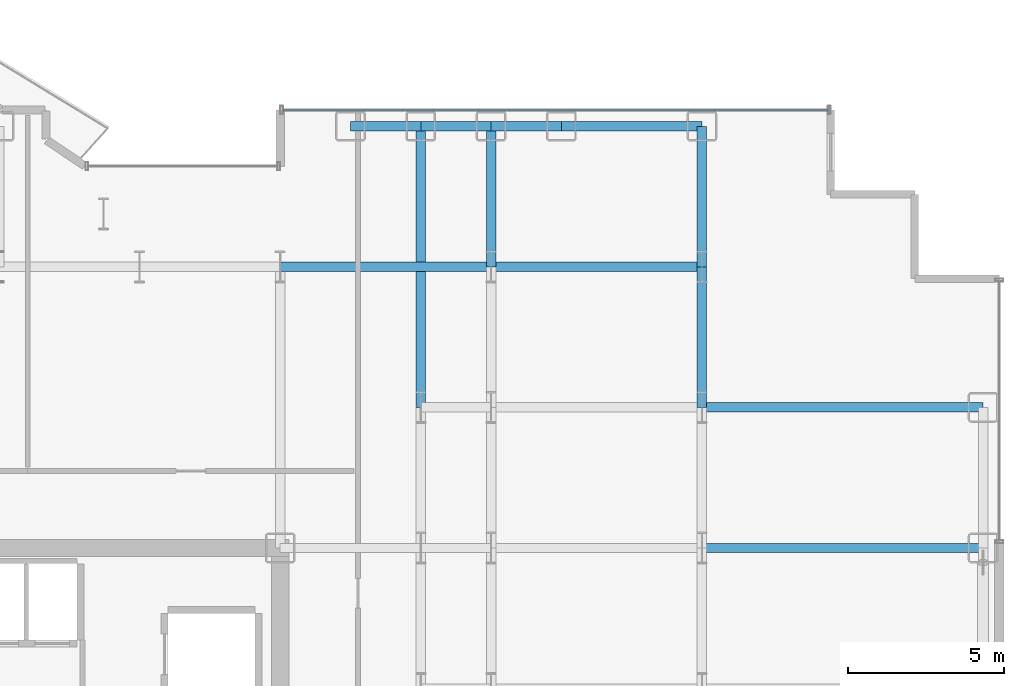
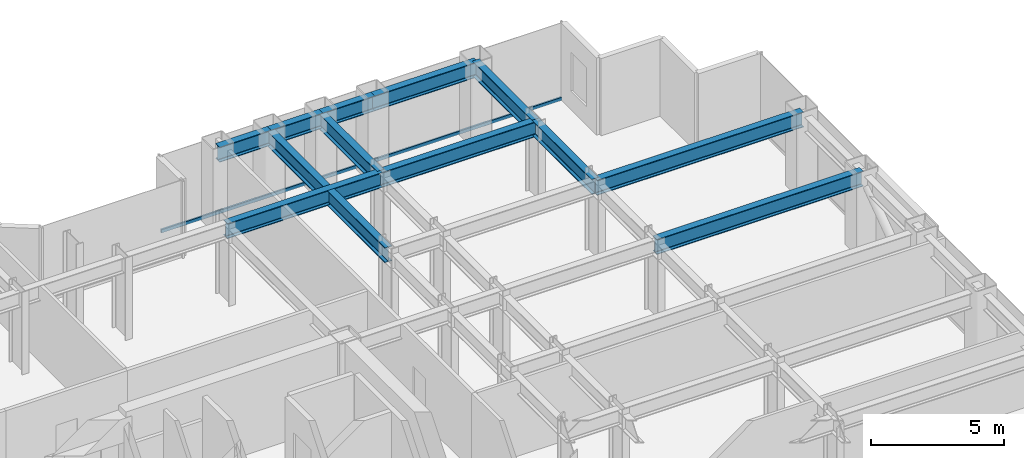
# One storey, part 16 of 28: 12 beams, 1 member, 1 element without a shape of its own.
"""IFC4 building model written with IfcOpenShell, lengths in metres."""

from ifc_helpers import new_model, si_unit, direction, frame, origin, origin_2d, place, context, subcontext, project, spatial, hollow_rectangle, i_section, extrude, source, transform, mapped, material, layer, layer_set, material_profile, profile_set, type_object, element, aggregate, save


model = new_model("IFC4")

# Units and contexts
model_context = context("Model", 3, precision=1e-05, world=origin(), true_north=direction((0.0, 1.0)))
body_context = subcontext(model_context, "Body", "Model", "MODEL_VIEW")
ifc_project = project(units=[si_unit("LENGTHUNIT", "METRE"), si_unit("AREAUNIT", "SQUARE_METRE"), si_unit("VOLUMEUNIT", "CUBIC_METRE"), si_unit("PLANEANGLEUNIT", "RADIAN"), si_unit("MASSUNIT", "GRAM", prefix="KILO")], contexts=[model_context])

# Site, building, storey
site_placement = place(None, origin())
site = spatial("IfcSite", under=ifc_project, at=site_placement, CompositionType="ELEMENT")
building_placement = place(site_placement, origin())
building = spatial("IfcBuilding", under=site, at=building_placement, Name="Nefas-Gora Pilgrimage Tower", CompositionType="ELEMENT")
storey_placement = place(building_placement, frame((0.0, 0.0, 102.199951171875)))
storey = spatial("IfcBuildingStorey", under=building, at=storey_placement, Name="L24", CompositionType="ELEMENT", Elevation=102.199951171875)

# Beams
ifc_material_1 = material(Name="Steel S355", Category="steel")
ifc_material_profile_1 = material_profile(ifc_material_1, i_section(OverallWidth=0.300048828125, OverallDepth=0.699951171875, WebThickness=0.01708984375, FlangeThickness=0.031982421875, FilletRadius=0.027099609375, at=origin_2d()), Name="HEB 700")
ifc_profile_set_1 = profile_set([ifc_material_profile_1], Name="Steel S355")
beam_type_1 = type_object("IfcBeamType", Name="BM-SPN-HEB600", PredefinedType="SPANDREL", material=ifc_profile_set_1)
shared_shape_1 = source(origin(), body_context, "Body", "SweptSolid", [
    extrude(i_section(OverallWidth=0.300048828125, OverallDepth=0.699951171875, WebThickness=0.01708984375, FlangeThickness=0.031982421875, FilletRadius=0.027099609375, at=origin_2d()), origin(), (0.0, 0.0, 1.0), 4.5),
])
beam_placement = place(storey_placement, frame((20.25, 22.5, 3.199951171875), z_axis=(1.0, 0.0, 0.0), x_axis=(0.0, 1.0, 0.0)))
element("IfcBeam", 1, at=beam_placement, inside=storey, type_object=beam_type_1, Name="L24 SP-01 beam", PredefinedType="SPANDREL", context=body_context, shape_type="MappedRepresentation", body=[
    mapped(shared_shape_1, transform((0.0, 0.0, 0.0), x_axis=(1.0, 0.0, 0.0), y_axis=(0.0, 1.0, 0.0), z_axis=(0.0, 0.0, 1.0), scale=1.0)),
])
ifc_material_profile_2 = material_profile(ifc_material_1, i_section(OverallWidth=0.300048828125, OverallDepth=0.699951171875, WebThickness=0.01708984375, FlangeThickness=0.031982421875, FilletRadius=0.027099609375, at=origin_2d()), Name="HEB 700")
ifc_profile_set_2 = profile_set([ifc_material_profile_2], Name="Steel S355")
beam_type_2 = type_object("IfcBeamType", Name="BM-GIR-HEB700", PredefinedType="BEAM", material=ifc_profile_set_2)
shared_shape_2 = source(origin(), body_context, "Body", "SweptSolid", [
    extrude(i_section(OverallWidth=0.300048828125, OverallDepth=0.699951171875, WebThickness=0.01708984375, FlangeThickness=0.031982421875, FilletRadius=0.027099609375, at=origin_2d()), origin(), (0.0, 0.0, 1.0), 9.0),
])
for number, where, z_axis, x_axis, name in (
    (2, (15.75, 13.5, 3.199951171875), (0.0, 1.0, 0.0), (-1.0, 0.0, 0.0), "L24 G-02 beam"),
    (3, (24.75, 9.0, 3.199951171875), (1.0, 0.0, 0.0), (0.0, 1.0, 0.0), "L24 G-02 beam"),
    (4, (24.75, 13.5, 3.199951171875), (1.0, 0.0, 0.0), (0.0, 1.0, 0.0), "L24 G-02 beam"),
):
    element("IfcBeam", number, at=place(storey_placement, frame(where, z_axis=z_axis, x_axis=x_axis)), inside=storey, type_object=beam_type_2, Name=name, PredefinedType="BEAM", context=body_context, shape_type="MappedRepresentation", body=[
        mapped(shared_shape_2, transform((0.0, 0.0, 0.0), x_axis=(1.0, 0.0, 0.0), y_axis=(0.0, 1.0, 0.0), z_axis=(0.0, 0.0, 1.0), scale=1.0)),
    ])
shared_shape_3 = source(origin(), body_context, "Body", "SweptSolid", [
    extrude(i_section(OverallWidth=0.300048828125, OverallDepth=0.699951171875, WebThickness=0.01708984375, FlangeThickness=0.031982421875, FilletRadius=0.027099609375, at=origin_2d()), origin(), (0.0, 0.0, 1.0), 4.5),
])
for number, where, z_axis, x_axis, name in (
    (5, (18.0, 18.0, 3.199951171875), (0.0, 1.0, 0.0), (-1.0, 0.0, 0.0), "L24 G-02 beam"),
    (6, (24.75, 13.5, 3.199951171875), (0.0, 1.0, 0.0), (-1.0, 0.0, 0.0), "L24 G-02 beam"),
    (7, (24.75, 18.0, 3.199951171875), (0.0, 1.0, 0.0), (-1.0, 0.0, 0.0), "L24 G-02 beam"),
):
    element("IfcBeam", number, at=place(storey_placement, frame(where, z_axis=z_axis, x_axis=x_axis)), inside=storey, type_object=beam_type_2, Name=name, PredefinedType="BEAM", context=body_context, shape_type="MappedRepresentation", body=[
        mapped(shared_shape_3, transform((0.0, 0.0, 0.0), x_axis=(1.0, 0.0, 0.0), y_axis=(0.0, 1.0, 0.0), z_axis=(0.0, 0.0, 1.0), scale=1.0)),
    ])
shared_shape_4 = source(origin(), body_context, "Body", "SweptSolid", [
    extrude(i_section(OverallWidth=0.300048828125, OverallDepth=0.699951171875, WebThickness=0.01708984375, FlangeThickness=0.031982421875, FilletRadius=0.027099609375, at=origin_2d()), origin(), (0.0, 0.0, 1.0), 6.75),
])
for number, where, z_axis, x_axis, name in (
    (8, (11.25, 18.0, 3.199951171875), (1.0, 0.0, 0.0), (0.0, 1.0, 0.0), "L24 G-02 beam"),
    (9, (18.0, 18.0, 3.199951171875), (1.0, 0.0, 0.0), (0.0, 1.0, 0.0), "L24 G-02 beam"),
):
    element("IfcBeam", number, at=place(storey_placement, frame(where, z_axis=z_axis, x_axis=x_axis)), inside=storey, type_object=beam_type_2, Name=name, PredefinedType="BEAM", context=body_context, shape_type="MappedRepresentation", body=[
        mapped(shared_shape_4, transform((0.0, 0.0, 0.0), x_axis=(1.0, 0.0, 0.0), y_axis=(0.0, 1.0, 0.0), z_axis=(0.0, 0.0, 1.0), scale=1.0)),
    ])
shared_shape_5 = source(origin(), body_context, "Body", "SweptSolid", [
    extrude(i_section(OverallWidth=0.300048828125, OverallDepth=0.699951171875, WebThickness=0.01708984375, FlangeThickness=0.031982421875, FilletRadius=0.027099609375, at=origin_2d()), origin(), (0.0, 0.0, 1.0), 2.25),
])
for number, where, z_axis, x_axis, name in (
    (10, (13.5, 22.5, 3.199951171875), (1.0, 0.0, 0.0), (0.0, 1.0, 0.0), "L24 SP-01 beam"),
    (11, (15.75, 22.5, 3.199951171875), (1.0, 0.0, 0.0), (0.0, 1.0, 0.0), "L24 SP-01 beam"),
    (12, (18.0, 22.5, 3.199951171875), (1.0, 0.0, 0.0), (0.0, 1.0, 0.0), "L24 SP-01 beam"),
):
    element("IfcBeam", number, at=place(storey_placement, frame(where, z_axis=z_axis, x_axis=x_axis)), inside=storey, type_object=beam_type_1, Name=name, PredefinedType="SPANDREL", context=body_context, shape_type="MappedRepresentation", body=[
        mapped(shared_shape_5, transform((0.0, 0.0, 0.0), x_axis=(1.0, 0.0, 0.0), y_axis=(0.0, 1.0, 0.0), z_axis=(0.0, 0.0, 1.0), scale=1.0)),
    ])

# Curtain wall, member
ifc_material_2 = material(Name="Dark ceramic-fritted solar-control aluminium-glass curtain wall", Category="aluminium")
ifc_layer = layer(ifc_material_2, 0.219970703125)
ifc_layer_set = layer_set([ifc_layer], Name="Dark ceramic-fritted solar-control aluminium-glass curtain wall")
curtain_wall_type = type_object("IfcCurtainWallType", Name="CW-SYS-2", PredefinedType="NOTDEFINED", material=ifc_layer_set)
curtain_wall_placement = place(storey_placement, origin())
curtain_wall = element("IfcCurtainWall", 13, at=curtain_wall_placement, inside=storey, type_object=curtain_wall_type, Name="L24 Unitised Curtain Wall CW2", PredefinedType="NOTDEFINED")
ifc_material_3 = material(Name="Anodised architectural aluminium", Category="aluminium")
ifc_material_profile_3 = material_profile(ifc_material_3, hollow_rectangle(XDim=0.080078125, YDim=0.159912109375, WallThickness=0.00439453125, InnerFilletRadius=0.00439453125, OuterFilletRadius=0.009033203125, at=origin_2d()), Name="ALU TRANSOM 80x160")
ifc_profile_set_3 = profile_set([ifc_material_profile_3], Name="Anodised architectural aluminium")
member_type = type_object("IfcMemberType", Name="CWM-TRN-2", PredefinedType="USERDEFINED", material=ifc_profile_set_3)
shared_shape_6 = source(origin(), body_context, "Body", "SweptSolid", [
    extrude(hollow_rectangle(XDim=0.080078125, YDim=0.159912109375, WallThickness=0.00439453125, InnerFilletRadius=0.00439453125, OuterFilletRadius=0.009033203125, at=origin_2d()), origin(), (0.0, 0.0, 1.0), 17.43994140625),
])
member_placement = place(storey_placement, frame((28.780029296875, 23.02001953125, 0.050048828125), z_axis=(-1.0, 0.0, 0.0), x_axis=(0.0, -1.0, 0.0)))
member = element("IfcMember", 14, at=member_placement, type_object=member_type, Name="CW2 Spandrel Transom", ObjectType="TRANSOM", PredefinedType="USERDEFINED", context=body_context, shape_type="MappedRepresentation", body=[
    mapped(shared_shape_6, transform((0.0, 0.0, 0.0), x_axis=(1.0, 0.0, 0.0), y_axis=(0.0, 1.0, 0.0), z_axis=(0.0, 0.0, 1.0), scale=1.0)),
])
aggregate(curtain_wall, [member])

save(model, "model.ifc")
